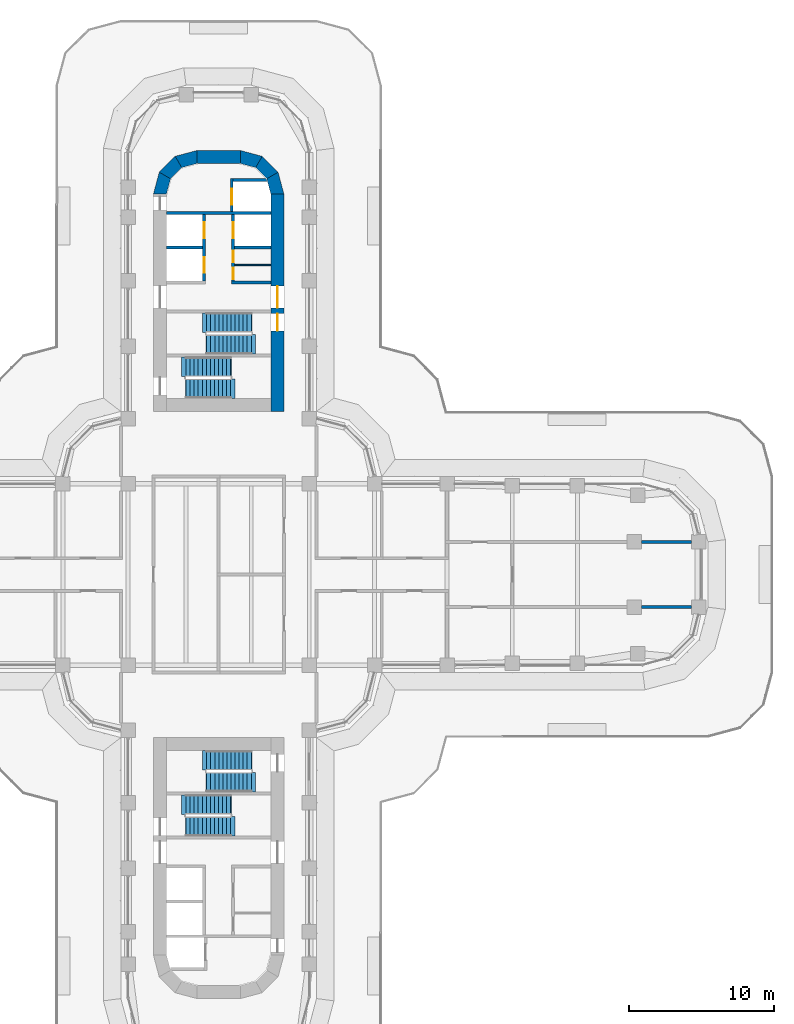
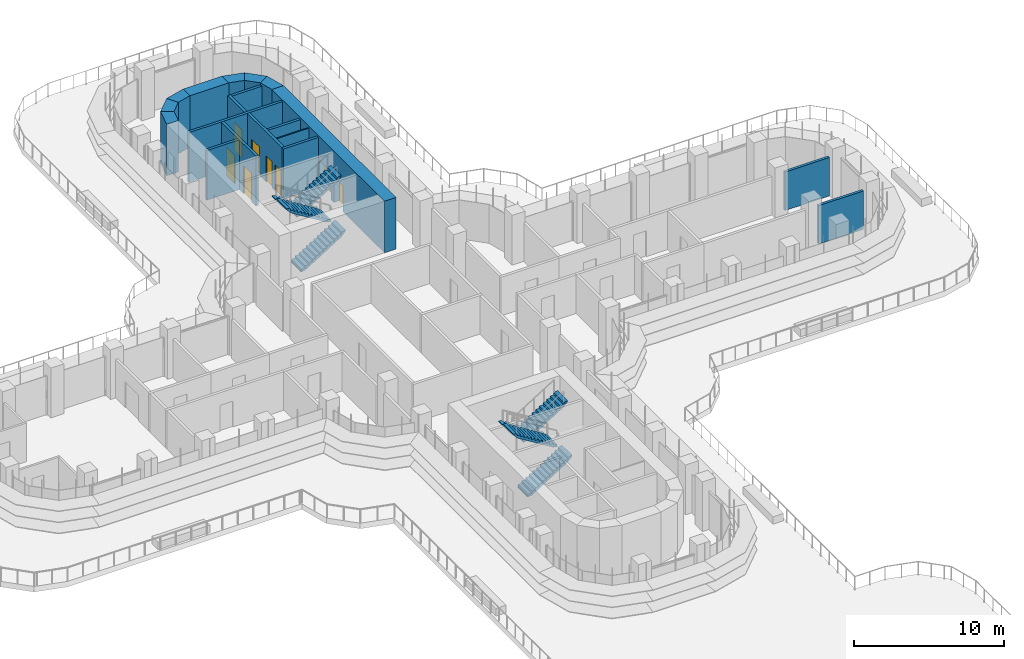
# One storey, part 19 of 26: 19 walls, 8 doors, 8 stair flights, 8 openings, 4 elements without a shape of their own.
"""IFC4 building model written with IfcOpenShell, lengths in metres."""

from ifc_helpers import new_model, si_unit, direction, frame, frame_2d, origin, place, context, subcontext, project, spatial, polyline, rectangle, outline, extrude, material, layer, layer_set, type_object, element, fill, aggregate, save


model = new_model("IFC4")

# Units and contexts
model_context = context("Model", 3, precision=1e-05, world=origin(), true_north=direction((0.0, 1.0)))
body_context = subcontext(model_context, "Body", "Model", "MODEL_VIEW")
ifc_project = project(units=[si_unit("LENGTHUNIT", "METRE"), si_unit("AREAUNIT", "SQUARE_METRE"), si_unit("VOLUMEUNIT", "CUBIC_METRE"), si_unit("PLANEANGLEUNIT", "RADIAN"), si_unit("MASSUNIT", "GRAM", prefix="KILO")], contexts=[model_context])

# Site, building, storey
site_placement = place(None, origin())
site = spatial("IfcSite", under=ifc_project, at=site_placement, CompositionType="ELEMENT")
building_placement = place(site_placement, origin())
building = spatial("IfcBuilding", under=site, at=building_placement, Name="Zarbagh Exchange Tower", CompositionType="ELEMENT")
storey_placement = place(building_placement, frame((0.0, 0.0, 27.0)))
storey = spatial("IfcBuildingStorey", under=building, at=storey_placement, Name="L05", CompositionType="ELEMENT", Elevation=27.0)

# Walls
ifc_material_1 = material(Name="Dense blockwork", Category="masonry")
ifc_layer_1 = layer(ifc_material_1, 0.10009765625)
ifc_layer_set_1 = layer_set([ifc_layer_1], Name="Core partition 100 mm blockwork")
wall_type_1 = type_object("IfcWallType", Name="Core partition 100 mm blockwork", PredefinedType="PARTITIONING", material=ifc_layer_set_1)
wall_1_placement = place(storey_placement, frame((1.10009765625, 21.35009765625, 0.0), z_axis=(0.0, 0.0, 1.0), x_axis=(1.0, 0.0, 0.0)))
element("IfcWall", 1, at=wall_1_placement, inside=storey, type_object=wall_type_1, Name="North core partition wall CUT-E-700", PredefinedType="PARTITIONING", context=body_context, shape_type="SweptSolid", body=[
    extrude(rectangle(XDim=2.5, YDim=0.10009765625, at=frame_2d((1.25, 0.0))), origin(), (0.0, 0.0, 1.0), 4.050048828125),
])
ifc_material_2 = material(Name="Fire-rated plasterboard partition")
ifc_layer_2 = layer(ifc_material_2, 0.199951171875)
ifc_layer_set_2 = layer_set([ifc_layer_2], Name="RATED PARTITION 200")
wall_type_2 = type_object("IfcWallType", Name="RATED PARTITION 200", PredefinedType="PARTITIONING", material=ifc_layer_set_2)
for number, where, z_axis, x_axis, name in (
    (2, (29.169921875, 2.25, 0.0), (0.0, 0.0, 1.0), (1.0, 0.0, 0.0), "Partition W-133"),
    (3, (29.169921875, -2.25, 0.0), (0.0, 0.0, 1.0), (1.0, 0.0, 0.0), "Partition W-135"),
):
    element("IfcWall", number, at=place(storey_placement, frame(where, z_axis=z_axis, x_axis=x_axis)), inside=storey, type_object=wall_type_2, Name=name, PredefinedType="PARTITIONING", context=body_context, shape_type="SweptSolid", body=[
        extrude(rectangle(XDim=3.440185546875, YDim=0.199951171875, at=frame_2d((1.72021484375, 0.0))), origin(), (0.0, 0.0, 1.0), 3.130615234375),
    ])
ifc_material_3 = material(Name="Concrete C60/75", Category="concrete")
ifc_layer_3 = layer(ifc_material_3, 0.89990234375)
ifc_layer_set_3 = layer_set([ifc_layer_3], Name="RC core corner wall 900 C60/75")
wall_type_3 = type_object("IfcWallType", Name="RC core corner wall 900 C60/75", PredefinedType="SHEAR", material=ifc_layer_set_3)
wall_2_placement = place(storey_placement, origin())
element("IfcWall", 4, at=wall_2_placement, inside=storey, type_object=wall_type_3, Name="CW2 core N corner W", PredefinedType="SHEAR", context=body_context, shape_type="SweptSolid", body=[
    extrude(outline(polyline([(-4.5, 26.25), (-4.09814453125, 27.75), (-3.318603515625, 27.300048828125), (-3.60009765625, 26.25), (-4.5, 26.25)])), origin(), (0.0, 0.0, 1.0), 4.199951171875),
])
wall_3_placement = place(storey_placement, origin())
element("IfcWall", 5, at=wall_3_placement, inside=storey, type_object=wall_type_3, Name="CW2 core N corner W", PredefinedType="SHEAR", context=body_context, shape_type="SweptSolid", body=[
    extrude(outline(polyline([(-4.09814453125, 27.75), (-3.0, 28.84814453125), (-2.550048828125, 28.068603515625), (-3.318603515625, 27.300048828125), (-4.09814453125, 27.75)])), origin(), (0.0, 0.0, 1.0), 4.199951171875),
])
wall_4_placement = place(storey_placement, origin())
element("IfcWall", 6, at=wall_4_placement, inside=storey, type_object=wall_type_3, Name="CW2 core N corner W", PredefinedType="SHEAR", context=body_context, shape_type="SweptSolid", body=[
    extrude(outline(polyline([(-3.0, 28.84814453125), (-1.5, 29.25), (-1.5, 28.35009765625), (-2.550048828125, 28.068603515625), (-3.0, 28.84814453125)])), origin(), (0.0, 0.0, 1.0), 4.199951171875),
])
wall_5_placement = place(storey_placement, origin())
element("IfcWall", 7, at=wall_5_placement, inside=storey, type_object=wall_type_3, Name="CW2 core N corner E", PredefinedType="SHEAR", context=body_context, shape_type="SweptSolid", body=[
    extrude(outline(polyline([(4.5, 26.25), (4.09814453125, 27.75), (3.318603515625, 27.300048828125), (3.60009765625, 26.25), (4.5, 26.25)])), origin(), (0.0, 0.0, 1.0), 4.199951171875),
])
wall_6_placement = place(storey_placement, origin())
element("IfcWall", 8, at=wall_6_placement, inside=storey, type_object=wall_type_3, Name="CW2 core N corner E", PredefinedType="SHEAR", context=body_context, shape_type="SweptSolid", body=[
    extrude(outline(polyline([(4.09814453125, 27.75), (3.0, 28.84814453125), (2.550048828125, 28.068603515625), (3.318603515625, 27.300048828125), (4.09814453125, 27.75)])), origin(), (0.0, 0.0, 1.0), 4.199951171875),
])
wall_7_placement = place(storey_placement, origin())
element("IfcWall", 9, at=wall_7_placement, inside=storey, type_object=wall_type_3, Name="CW2 core N corner E", PredefinedType="SHEAR", context=body_context, shape_type="SweptSolid", body=[
    extrude(outline(polyline([(3.0, 28.84814453125), (1.5, 29.25), (1.5, 28.35009765625), (2.550048828125, 28.068603515625), (3.0, 28.84814453125)])), origin(), (0.0, 0.0, 1.0), 4.199951171875),
])

# Wall, openings, doors
ifc_layer_4 = layer(ifc_material_3, 0.89990234375)
ifc_layer_set_4 = layer_set([ifc_layer_4], Name="RC core wall 900 C60/75")
wall_type_4 = type_object("IfcWallType", Name="RC core wall 900 C60/75", PredefinedType="SHEAR", material=ifc_layer_set_4)
wall_8_placement = place(storey_placement, frame((4.050048828125, 11.25, 0.0), z_axis=(0.0, 0.0, 1.0), x_axis=(0.0, 1.0, 0.0)))
wall_8 = element("IfcWall", 10, at=wall_8_placement, inside=storey, type_object=wall_type_4, Name="CW1 core N E", PredefinedType="SHEAR", context=body_context, shape_type="SweptSolid", body=[
    extrude(rectangle(XDim=15.0, YDim=0.89990234375, at=frame_2d((7.5, 0.0))), origin(), (0.0, 0.0, 1.0), 4.199951171875),
])
opening_1_placement = place(wall_8_placement, frame((7.14990234375, 0.0, 0.0)))
opening_1 = element("IfcOpeningElement", 11, at=opening_1_placement, cuts=wall_8, Name="Opening CD1-1500", PredefinedType="OPENING", context=body_context, shape_type="SweptSolid", body=[
    extrude(rectangle(XDim=1.5, YDim=2.300048828125, at=frame_2d((0.75, 1.14990234375))), frame((0.0, 0.4599609375, 0.0), z_axis=(0.0, -1.0, 0.0), x_axis=(1.0, 0.0, 0.0)), (0.0, 0.0, 1.0), 0.919921875),
])
opening_2_placement = place(wall_8_placement, frame((5.550048828125, 0.0, 0.0)))
opening_2 = element("IfcOpeningElement", 12, at=opening_2_placement, cuts=wall_8, Name="Opening SD1-1200", PredefinedType="OPENING", context=body_context, shape_type="SweptSolid", body=[
    extrude(rectangle(XDim=1.199951171875, YDim=2.10009765625, at=frame_2d((0.60009765625, 1.050048828125))), frame((0.0, 0.4599609375, 0.0), z_axis=(0.0, -1.0, 0.0), x_axis=(1.0, 0.0, 0.0)), (0.0, 0.0, 1.0), 0.919921875),
])
ifc_material_4 = material(Name="Steel", Category="steel")
door_type_1 = type_object("IfcDoorType", Name="Exit stair door 1200 x 2100", OperationType="NOTDEFINED", PredefinedType="DOOR", material=ifc_material_4)
door_1_placement = place(opening_2_placement, origin())
door_1 = element("IfcDoor", 13, at=door_1_placement, inside=storey, type_object=door_type_1, Name="North core stair door ST1", OperationType="SINGLE_SWING_LEFT", OverallHeight=2.10009765625, OverallWidth=1.199951171875, PredefinedType="DOOR", context=body_context, shape_type="SweptSolid", body=[
    extrude(rectangle(XDim=1.199951171875, YDim=2.10009765625, at=frame_2d((0.60009765625, 1.050048828125))), frame((0.0, 0.02490234375, 0.0), z_axis=(0.0, -1.0, 0.0), x_axis=(1.0, 0.0, 0.0)), (0.0, 0.0, 1.0), 0.050048828125),
])
fill(opening_2, door_1)
door_type_2 = type_object("IfcDoorType", Name="Lift lobby double door 1500 x 2300", OperationType="NOTDEFINED", PredefinedType="DOOR", material=ifc_material_4)
door_2_placement = place(opening_1_placement, origin())
door_2 = element("IfcDoor", 14, at=door_2_placement, inside=storey, type_object=door_type_2, Name="North core lift lobby door LOBBY-E", OperationType="DOUBLE_DOOR_SINGLE_SWING", OverallHeight=2.300048828125, OverallWidth=1.5, PredefinedType="DOOR", context=body_context, shape_type="SweptSolid", body=[
    extrude(rectangle(XDim=1.5, YDim=2.300048828125, at=frame_2d((0.75, 1.14990234375))), frame((0.0, 0.02490234375, 0.0), z_axis=(0.0, -1.0, 0.0), x_axis=(1.0, 0.0, 0.0)), (0.0, 0.0, 1.0), 0.050048828125),
])
fill(opening_1, door_2)

# Wall
wall_9_placement = place(storey_placement, frame((-1.5, 28.800048828125, 0.0), z_axis=(0.0, 0.0, 1.0), x_axis=(1.0, 0.0, 0.0)))
element("IfcWall", 15, at=wall_9_placement, inside=storey, type_object=wall_type_4, Name="CW1 core N outer end", PredefinedType="SHEAR", context=body_context, shape_type="SweptSolid", body=[
    extrude(rectangle(XDim=3.0, YDim=0.89990234375, at=frame_2d((1.5, 0.0))), origin(), (0.0, 0.0, 1.0), 4.199951171875),
])

# Wall, openings, doors
ifc_layer_5 = layer(ifc_material_1, 0.199951171875)
ifc_layer_set_5 = layer_set([ifc_layer_5], Name="Shaft wall 200 mm blockwork")
wall_type_5 = type_object("IfcWallType", Name="Shaft wall 200 mm blockwork", PredefinedType="PARTITIONING", material=ifc_layer_set_5)
wall_10_placement = place(storey_placement, frame((-1.0, 24.85009765625, 0.0), z_axis=(0.0, 0.0, 1.0), x_axis=(0.0, -1.0, 0.0)))
wall_10 = element("IfcWall", 16, at=wall_10_placement, inside=storey, type_object=wall_type_5, Name="North core shaft wall LW-W", PredefinedType="PARTITIONING", context=body_context, shape_type="SweptSolid", body=[
    extrude(rectangle(XDim=4.60009765625, YDim=0.199951171875, at=frame_2d((2.300048828125, 0.0))), origin(), (0.0, 0.0, 1.0), 4.050048828125),
])
opening_3_placement = place(wall_10_placement, frame((0.550048828125, 0.0, 0.0)))
opening_3 = element("IfcOpeningElement", 17, at=opening_3_placement, cuts=wall_10, Name="Opening LD-1100", PredefinedType="OPENING", context=body_context, shape_type="SweptSolid", body=[
    extrude(rectangle(XDim=1.10009765625, YDim=2.300048828125, at=frame_2d((0.550048828125, 1.14990234375))), frame((0.0, 0.10986328125, 0.0), z_axis=(0.0, -1.0, 0.0), x_axis=(1.0, 0.0, 0.0)), (0.0, 0.0, 1.0), 0.219970703125),
])
opening_4_placement = place(wall_10_placement, frame((2.949951171875, 0.0, 0.0)))
opening_4 = element("IfcOpeningElement", 18, at=opening_4_placement, cuts=wall_10, Name="Opening LD-1100", PredefinedType="OPENING", context=body_context, shape_type="SweptSolid", body=[
    extrude(rectangle(XDim=1.10009765625, YDim=2.300048828125, at=frame_2d((0.550048828125, 1.14990234375))), frame((0.0, 0.10986328125, 0.0), z_axis=(0.0, -1.0, 0.0), x_axis=(1.0, 0.0, 0.0)), (0.0, 0.0, 1.0), 0.219970703125),
])
ifc_material_5 = material(Name="Stainless steel", Category="steel")
door_type_3 = type_object("IfcDoorType", Name="Lift landing door 1100 x 2300", OperationType="NOTDEFINED", PredefinedType="DOOR", material=ifc_material_5)
door_3_placement = place(opening_3_placement, origin())
door_3 = element("IfcDoor", 19, at=door_3_placement, inside=storey, type_object=door_type_3, Name="North core lift landing door LD-P-N1", OperationType="DOUBLE_DOOR_SLIDING", OverallHeight=2.300048828125, OverallWidth=1.10009765625, PredefinedType="DOOR", context=body_context, shape_type="SweptSolid", body=[
    extrude(rectangle(XDim=1.10009765625, YDim=2.300048828125, at=frame_2d((0.550048828125, 1.14990234375))), frame((0.0, 0.02490234375, 0.0), z_axis=(0.0, -1.0, 0.0), x_axis=(1.0, 0.0, 0.0)), (0.0, 0.0, 1.0), 0.050048828125),
])
fill(opening_3, door_3)
door_4_placement = place(opening_4_placement, origin())
door_4 = element("IfcDoor", 20, at=door_4_placement, inside=storey, type_object=door_type_3, Name="North core lift landing door LD-P-N2", OperationType="DOUBLE_DOOR_SLIDING", OverallHeight=2.300048828125, OverallWidth=1.10009765625, PredefinedType="DOOR", context=body_context, shape_type="SweptSolid", body=[
    extrude(rectangle(XDim=1.10009765625, YDim=2.300048828125, at=frame_2d((0.550048828125, 1.14990234375))), frame((0.0, 0.02490234375, 0.0), z_axis=(0.0, -1.0, 0.0), x_axis=(1.0, 0.0, 0.0)), (0.0, 0.0, 1.0), 0.050048828125),
])
fill(opening_4, door_4)

# Wall
wall_11_placement = place(storey_placement, frame((0.89990234375, 20.14990234375, 0.0), z_axis=(0.0, 0.0, 1.0), x_axis=(1.0, 0.0, 0.0)))
element("IfcWall", 21, at=wall_11_placement, inside=storey, type_object=wall_type_5, Name="North core shaft wall AB-E", PredefinedType="PARTITIONING", context=body_context, shape_type="SweptSolid", body=[
    extrude(rectangle(XDim=2.7001953125, YDim=0.199951171875, at=frame_2d((1.35009765625, 0.0))), origin(), (0.0, 0.0, 1.0), 4.050048828125),
])

# Wall, openings, doors
wall_12_placement = place(storey_placement, frame((1.0, 24.85009765625, 0.0), z_axis=(0.0, 0.0, 1.0), x_axis=(0.0, -1.0, 0.0)))
wall_12 = element("IfcWall", 22, at=wall_12_placement, inside=storey, type_object=wall_type_5, Name="North core shaft wall LW-E", PredefinedType="PARTITIONING", context=body_context, shape_type="SweptSolid", body=[
    extrude(rectangle(XDim=4.60009765625, YDim=0.199951171875, at=frame_2d((2.300048828125, 0.0))), origin(), (0.0, 0.0, 1.0), 4.050048828125),
])
opening_5_placement = place(wall_12_placement, frame((0.550048828125, 0.0, 0.0)))
opening_5 = element("IfcOpeningElement", 23, at=opening_5_placement, cuts=wall_12, Name="Opening LD-1100", PredefinedType="OPENING", context=body_context, shape_type="SweptSolid", body=[
    extrude(rectangle(XDim=1.10009765625, YDim=2.300048828125, at=frame_2d((0.550048828125, 1.14990234375))), frame((0.0, 0.10986328125, 0.0), z_axis=(0.0, -1.0, 0.0), x_axis=(1.0, 0.0, 0.0)), (0.0, 0.0, 1.0), 0.219970703125),
])
opening_6_placement = place(wall_12_placement, frame((2.52490234375, 0.0, 0.0)))
opening_6 = element("IfcOpeningElement", 24, at=opening_6_placement, cuts=wall_12, Name="Opening CD3-800", PredefinedType="OPENING", context=body_context, shape_type="SweptSolid", body=[
    extrude(rectangle(XDim=0.800048828125, YDim=2.10009765625, at=frame_2d((0.39990234375, 1.050048828125))), frame((0.0, 0.10986328125, 0.0), z_axis=(0.0, -1.0, 0.0), x_axis=(1.0, 0.0, 0.0)), (0.0, 0.0, 1.0), 0.219970703125),
])
opening_7_placement = place(wall_12_placement, frame((3.675048828125, 0.0, 0.0)))
opening_7 = element("IfcOpeningElement", 25, at=opening_7_placement, cuts=wall_12, Name="Opening CD3-800", PredefinedType="OPENING", context=body_context, shape_type="SweptSolid", body=[
    extrude(rectangle(XDim=0.800048828125, YDim=2.10009765625, at=frame_2d((0.39990234375, 1.050048828125))), frame((0.0, 0.10986328125, 0.0), z_axis=(0.0, -1.0, 0.0), x_axis=(1.0, 0.0, 0.0)), (0.0, 0.0, 1.0), 0.219970703125),
])
door_type_4 = type_object("IfcDoorType", Name="Core room door 800 x 2100", OperationType="NOTDEFINED", PredefinedType="DOOR", material=ifc_material_4)
door_5_placement = place(opening_6_placement, origin())
door_5 = element("IfcDoor", 26, at=door_5_placement, inside=storey, type_object=door_type_4, Name="North core Store door RD-E-0", OperationType="SINGLE_SWING_LEFT", OverallHeight=2.10009765625, OverallWidth=0.800048828125, PredefinedType="DOOR", context=body_context, shape_type="SweptSolid", body=[
    extrude(rectangle(XDim=0.800048828125, YDim=2.10009765625, at=frame_2d((0.39990234375, 1.050048828125))), frame((0.0, 0.02490234375, 0.0), z_axis=(0.0, -1.0, 0.0), x_axis=(1.0, 0.0, 0.0)), (0.0, 0.0, 1.0), 0.050048828125),
])
fill(opening_6, door_5)
door_6_placement = place(opening_7_placement, origin())
door_6 = element("IfcDoor", 27, at=door_6_placement, inside=storey, type_object=door_type_4, Name="North core IT room door RD-E-1", OperationType="SINGLE_SWING_RIGHT", OverallHeight=2.10009765625, OverallWidth=0.800048828125, PredefinedType="DOOR", context=body_context, shape_type="SweptSolid", body=[
    extrude(rectangle(XDim=0.800048828125, YDim=2.10009765625, at=frame_2d((0.39990234375, 1.050048828125))), frame((0.0, 0.02490234375, 0.0), z_axis=(0.0, -1.0, 0.0), x_axis=(1.0, 0.0, 0.0)), (0.0, 0.0, 1.0), 0.050048828125),
])
fill(opening_7, door_6)
door_7_placement = place(opening_5_placement, origin())
door_7 = element("IfcDoor", 28, at=door_7_placement, inside=storey, type_object=door_type_3, Name="North core lift landing door LD-P-N3", OperationType="DOUBLE_DOOR_SLIDING", OverallHeight=2.300048828125, OverallWidth=1.10009765625, PredefinedType="DOOR", context=body_context, shape_type="SweptSolid", body=[
    extrude(rectangle(XDim=1.10009765625, YDim=2.300048828125, at=frame_2d((0.550048828125, 1.14990234375))), frame((0.0, 0.02490234375, 0.0), z_axis=(0.0, -1.0, 0.0), x_axis=(1.0, 0.0, 0.0)), (0.0, 0.0, 1.0), 0.050048828125),
])
fill(opening_5, door_7)

# Walls
for number, where, z_axis, x_axis, name in (
    (29, (-3.60009765625, 22.550048828125, 0.0), (0.0, 0.0, 1.0), (1.0, 0.0, 0.0), "North core shaft wall TR-W"),
    (30, (1.10009765625, 22.550048828125, 0.0), (0.0, 0.0, 1.0), (1.0, 0.0, 0.0), "North core shaft wall TR-E"),
):
    element("IfcWall", number, at=place(storey_placement, frame(where, z_axis=z_axis, x_axis=x_axis)), inside=storey, type_object=wall_type_5, Name=name, PredefinedType="PARTITIONING", context=body_context, shape_type="SweptSolid", body=[
        extrude(rectangle(XDim=2.5, YDim=0.199951171875, at=frame_2d((1.25, 0.0))), origin(), (0.0, 0.0, 1.0), 4.050048828125),
    ])
ifc_material_6 = material(Name="Concrete C40/50", Category="concrete")
ifc_layer_6 = layer(ifc_material_6, 0.199951171875)
ifc_layer_set_6 = layer_set([ifc_layer_6], Name="Stair enclosure wall 200 mm RC C40/50")
wall_type_6 = type_object("IfcWallType", Name="Stair enclosure wall 200 mm RC C40/50", PredefinedType="SHEAR", material=ifc_layer_set_6)
wall_13_placement = place(storey_placement, frame((-3.60009765625, 24.949951171875, 0.0), z_axis=(0.0, 0.0, 1.0), x_axis=(1.0, 0.0, 0.0)))
element("IfcWall", 31, at=wall_13_placement, inside=storey, type_object=wall_type_6, Name="North core lift shaft wall FFA", PredefinedType="SHEAR", context=body_context, shape_type="SweptSolid", body=[
    extrude(rectangle(XDim=7.2001953125, YDim=0.199951171875, at=frame_2d((3.60009765625, 0.0))), origin(), (0.0, 0.0, 1.0), 4.050048828125),
])

# Wall, opening, door
wall_14_placement = place(storey_placement, frame((0.89990234375, 27.300048828125, 0.0), z_axis=(0.0, 0.0, 1.0), x_axis=(0.0, -1.0, 0.0)))
wall_14 = element("IfcWall", 32, at=wall_14_placement, inside=storey, type_object=wall_type_6, Name="North core lift shaft wall FFL", PredefinedType="SHEAR", context=body_context, shape_type="SweptSolid", body=[
    extrude(rectangle(XDim=2.25, YDim=0.199951171875, at=frame_2d((1.125, 0.0))), origin(), (0.0, 0.0, 1.0), 4.050048828125),
])
opening_8_placement = place(wall_14_placement, frame((0.699951171875, 0.0, 0.0)))
opening_8 = element("IfcOpeningElement", 33, at=opening_8_placement, cuts=wall_14, Name="Opening LD-1100", PredefinedType="OPENING", context=body_context, shape_type="SweptSolid", body=[
    extrude(rectangle(XDim=1.10009765625, YDim=2.300048828125, at=frame_2d((0.550048828125, 1.14990234375))), frame((0.0, 0.10986328125, 0.0), z_axis=(0.0, -1.0, 0.0), x_axis=(1.0, 0.0, 0.0)), (0.0, 0.0, 1.0), 0.219970703125),
])
door_8_placement = place(opening_8_placement, origin())
door_8 = element("IfcDoor", 34, at=door_8_placement, inside=storey, type_object=door_type_3, Name="North core lift landing door LD-F", OperationType="DOUBLE_DOOR_SLIDING", OverallHeight=2.300048828125, OverallWidth=1.10009765625, PredefinedType="DOOR", context=body_context, shape_type="SweptSolid", body=[
    extrude(rectangle(XDim=1.10009765625, YDim=2.300048828125, at=frame_2d((0.550048828125, 1.14990234375))), frame((0.0, 0.02490234375, 0.0), z_axis=(0.0, -1.0, 0.0), x_axis=(1.0, 0.0, 0.0)), (0.0, 0.0, 1.0), 0.050048828125),
])
fill(opening_8, door_8)

# Wall
wall_15_placement = place(storey_placement, origin())
element("IfcWall", 35, at=wall_15_placement, inside=storey, type_object=wall_type_6, Name="North core lift shaft wall FFX", PredefinedType="SHEAR", context=body_context, shape_type="SweptSolid", body=[
    extrude(outline(polyline([(1.0, 27.10009765625), (3.340576171875, 27.10009765625), (3.291259765625, 27.2841796875), (3.275390625, 27.300048828125), (1.0, 27.300048828125), (1.0, 27.10009765625)])), origin(), (0.0, 0.0, 1.0), 4.050048828125),
])

# Stair, stair flights
stair_type = type_object("IfcStairType", Name="Exit stair two-flight half-turn", PredefinedType="HALF_TURN_STAIR", material=ifc_material_6)
stair_1_placement = place(storey_placement, origin())
stair_1 = element("IfcStair", 36, at=stair_1_placement, inside=storey, type_object=stair_type, Name="exit stair ST1", PredefinedType="HALF_TURN_STAIR")
stair_flight_type = type_object("IfcStairFlightType", Name="Stair flight 1350 mm", PredefinedType="STRAIGHT", material=ifc_material_6)
stair_flight_1_placement = place(storey_placement, frame((2.25, 17.375, 0.0), z_axis=(0.0, 0.0, 1.0), x_axis=(-1.0, 0.0, 0.0)))
stair_flight_1 = element("IfcStairFlight", 37, at=stair_flight_1_placement, type_object=stair_flight_type, Name="ST1 flight 1", NumberOfRisers=12, NumberOfTreads=11, PredefinedType="STRAIGHT", RiserHeight=0.175, TreadLength=0.28, context=body_context, shape_type="SweptSolid", body=[
    extrude(outline(polyline([(-0.050048828125, -0.050048828125), (-0.050048828125, 0.0), (0.0, 0.0), (0.0, 0.175048828125), (0.280029296875, 0.175048828125), (0.280029296875, 0.35009765625), (0.56005859375, 0.35009765625), (0.56005859375, 0.52490234375), (0.840087890625, 0.52490234375), (0.840087890625, 0.699951171875), (1.1201171875, 0.699951171875), (1.1201171875, 0.875), (1.39990234375, 0.875), (1.39990234375, 1.050048828125), (1.679931640625, 1.050048828125), (1.679931640625, 1.22509765625), (1.9599609375, 1.22509765625), (1.9599609375, 1.39990234375), (2.239990234375, 1.39990234375), (2.239990234375, 1.574951171875), (2.52001953125, 1.574951171875), (2.52001953125, 1.75), (2.800048828125, 1.75), (2.800048828125, 1.925048828125), (3.080078125, 1.925048828125), (3.080078125, 2.10009765625), (3.3798828125, 2.179931640625), (3.3798828125, 2.10009765625), (3.080078125, 1.748291015625), (0.28271484375, 0.0), (-0.050048828125, -0.050048828125)])), frame((0.0, 0.675048828125, 0.0), z_axis=(0.0, -1.0, 0.0), x_axis=(1.0, 0.0, 0.0)), (0.0, 0.0, 1.0), 1.35009765625),
])
stair_flight_2_placement = place(storey_placement, frame((-0.830078125, 15.875, 2.10009765625), z_axis=(0.0, 0.0, 1.0), x_axis=(1.0, 0.0, 0.0)))
stair_flight_2 = element("IfcStairFlight", 38, at=stair_flight_2_placement, type_object=stair_flight_type, Name="ST1 flight 2", NumberOfRisers=12, NumberOfTreads=11, PredefinedType="STRAIGHT", RiserHeight=0.175, TreadLength=0.28, context=body_context, shape_type="SweptSolid", body=[
    extrude(outline(polyline([(-0.050048828125, -0.050048828125), (-0.050048828125, 0.0), (0.0, 0.0), (0.0, 0.175048828125), (0.280029296875, 0.175048828125), (0.280029296875, 0.35009765625), (0.56005859375, 0.35009765625), (0.56005859375, 0.52490234375), (0.840087890625, 0.52490234375), (0.840087890625, 0.699951171875), (1.1201171875, 0.699951171875), (1.1201171875, 0.875), (1.39990234375, 0.875), (1.39990234375, 1.050048828125), (1.679931640625, 1.050048828125), (1.679931640625, 1.22509765625), (1.9599609375, 1.22509765625), (1.9599609375, 1.39990234375), (2.239990234375, 1.39990234375), (2.239990234375, 1.574951171875), (2.52001953125, 1.574951171875), (2.52001953125, 1.75), (2.800048828125, 1.75), (2.800048828125, 1.925048828125), (3.080078125, 1.925048828125), (3.080078125, 2.10009765625), (3.3798828125, 2.179931640625), (3.3798828125, 2.10009765625), (3.080078125, 1.748291015625), (0.28271484375, 0.0), (-0.050048828125, -0.050048828125)])), frame((0.0, 0.675048828125, 0.0), z_axis=(0.0, -1.0, 0.0), x_axis=(1.0, 0.0, 0.0)), (0.0, 0.0, 1.0), 1.35009765625),
])
aggregate(stair_1, [stair_flight_1, stair_flight_2])

stair_2_placement = place(storey_placement, origin())
stair_2 = element("IfcStair", 39, at=stair_2_placement, inside=storey, type_object=stair_type, Name="exit stair ST2", PredefinedType="HALF_TURN_STAIR")
stair_flight_3_placement = place(storey_placement, frame((-2.25, 12.824951171875, 0.0), z_axis=(0.0, 0.0, 1.0), x_axis=(1.0, 0.0, 0.0)))
stair_flight_3 = element("IfcStairFlight", 40, at=stair_flight_3_placement, type_object=stair_flight_type, Name="ST2 flight 1", NumberOfRisers=12, NumberOfTreads=11, PredefinedType="STRAIGHT", RiserHeight=0.175, TreadLength=0.28, context=body_context, shape_type="SweptSolid", body=[
    extrude(outline(polyline([(-0.050048828125, -0.050048828125), (-0.050048828125, 0.0), (0.0, 0.0), (0.0, 0.175048828125), (0.280029296875, 0.175048828125), (0.280029296875, 0.35009765625), (0.56005859375, 0.35009765625), (0.56005859375, 0.52490234375), (0.840087890625, 0.52490234375), (0.840087890625, 0.699951171875), (1.1201171875, 0.699951171875), (1.1201171875, 0.875), (1.39990234375, 0.875), (1.39990234375, 1.050048828125), (1.679931640625, 1.050048828125), (1.679931640625, 1.22509765625), (1.9599609375, 1.22509765625), (1.9599609375, 1.39990234375), (2.239990234375, 1.39990234375), (2.239990234375, 1.574951171875), (2.52001953125, 1.574951171875), (2.52001953125, 1.75), (2.800048828125, 1.75), (2.800048828125, 1.925048828125), (3.080078125, 1.925048828125), (3.080078125, 2.10009765625), (3.3798828125, 2.179931640625), (3.3798828125, 2.10009765625), (3.080078125, 1.748291015625), (0.28271484375, 0.0), (-0.050048828125, -0.050048828125)])), frame((0.0, 0.675048828125, 0.0), z_axis=(0.0, -1.0, 0.0), x_axis=(1.0, 0.0, 0.0)), (0.0, 0.0, 1.0), 1.35009765625),
])
stair_flight_4_placement = place(storey_placement, frame((0.830078125, 14.324951171875, 2.10009765625), z_axis=(0.0, 0.0, 1.0), x_axis=(-1.0, 0.0, 0.0)))
stair_flight_4 = element("IfcStairFlight", 41, at=stair_flight_4_placement, type_object=stair_flight_type, Name="ST2 flight 2", NumberOfRisers=12, NumberOfTreads=11, PredefinedType="STRAIGHT", RiserHeight=0.175, TreadLength=0.28, context=body_context, shape_type="SweptSolid", body=[
    extrude(outline(polyline([(-0.050048828125, -0.050048828125), (-0.050048828125, 0.0), (0.0, 0.0), (0.0, 0.175048828125), (0.280029296875, 0.175048828125), (0.280029296875, 0.35009765625), (0.56005859375, 0.35009765625), (0.56005859375, 0.52490234375), (0.840087890625, 0.52490234375), (0.840087890625, 0.699951171875), (1.1201171875, 0.699951171875), (1.1201171875, 0.875), (1.39990234375, 0.875), (1.39990234375, 1.050048828125), (1.679931640625, 1.050048828125), (1.679931640625, 1.22509765625), (1.9599609375, 1.22509765625), (1.9599609375, 1.39990234375), (2.239990234375, 1.39990234375), (2.239990234375, 1.574951171875), (2.52001953125, 1.574951171875), (2.52001953125, 1.75), (2.800048828125, 1.75), (2.800048828125, 1.925048828125), (3.080078125, 1.925048828125), (3.080078125, 2.10009765625), (3.3798828125, 2.179931640625), (3.3798828125, 2.10009765625), (3.080078125, 1.748291015625), (0.28271484375, 0.0), (-0.050048828125, -0.050048828125)])), frame((0.0, 0.675048828125, 0.0), z_axis=(0.0, -1.0, 0.0), x_axis=(1.0, 0.0, 0.0)), (0.0, 0.0, 1.0), 1.35009765625),
])
aggregate(stair_2, [stair_flight_3, stair_flight_4])

stair_3_placement = place(storey_placement, origin())
stair_3 = element("IfcStair", 42, at=stair_3_placement, inside=storey, type_object=stair_type, Name="exit stair ST3", PredefinedType="HALF_TURN_STAIR")
stair_flight_5_placement = place(storey_placement, frame((-2.25, -17.375, 0.0), z_axis=(0.0, 0.0, 1.0), x_axis=(1.0, 0.0, 0.0)))
stair_flight_5 = element("IfcStairFlight", 43, at=stair_flight_5_placement, type_object=stair_flight_type, Name="ST3 flight 1", NumberOfRisers=12, NumberOfTreads=11, PredefinedType="STRAIGHT", RiserHeight=0.175, TreadLength=0.28, context=body_context, shape_type="SweptSolid", body=[
    extrude(outline(polyline([(-0.050048828125, -0.050048828125), (-0.050048828125, 0.0), (0.0, 0.0), (0.0, 0.175048828125), (0.280029296875, 0.175048828125), (0.280029296875, 0.35009765625), (0.56005859375, 0.35009765625), (0.56005859375, 0.52490234375), (0.840087890625, 0.52490234375), (0.840087890625, 0.699951171875), (1.1201171875, 0.699951171875), (1.1201171875, 0.875), (1.39990234375, 0.875), (1.39990234375, 1.050048828125), (1.679931640625, 1.050048828125), (1.679931640625, 1.22509765625), (1.9599609375, 1.22509765625), (1.9599609375, 1.39990234375), (2.239990234375, 1.39990234375), (2.239990234375, 1.574951171875), (2.52001953125, 1.574951171875), (2.52001953125, 1.75), (2.800048828125, 1.75), (2.800048828125, 1.925048828125), (3.080078125, 1.925048828125), (3.080078125, 2.10009765625), (3.3798828125, 2.179931640625), (3.3798828125, 2.10009765625), (3.080078125, 1.748291015625), (0.28271484375, 0.0), (-0.050048828125, -0.050048828125)])), frame((0.0, 0.675048828125, 0.0), z_axis=(0.0, -1.0, 0.0), x_axis=(1.0, 0.0, 0.0)), (0.0, 0.0, 1.0), 1.35009765625),
])
stair_flight_6_placement = place(storey_placement, frame((0.830078125, -15.875, 2.10009765625), z_axis=(0.0, 0.0, 1.0), x_axis=(-1.0, 0.0, 0.0)))
stair_flight_6 = element("IfcStairFlight", 44, at=stair_flight_6_placement, type_object=stair_flight_type, Name="ST3 flight 2", NumberOfRisers=12, NumberOfTreads=11, PredefinedType="STRAIGHT", RiserHeight=0.175, TreadLength=0.28, context=body_context, shape_type="SweptSolid", body=[
    extrude(outline(polyline([(-0.050048828125, -0.050048828125), (-0.050048828125, 0.0), (0.0, 0.0), (0.0, 0.175048828125), (0.280029296875, 0.175048828125), (0.280029296875, 0.35009765625), (0.56005859375, 0.35009765625), (0.56005859375, 0.52490234375), (0.840087890625, 0.52490234375), (0.840087890625, 0.699951171875), (1.1201171875, 0.699951171875), (1.1201171875, 0.875), (1.39990234375, 0.875), (1.39990234375, 1.050048828125), (1.679931640625, 1.050048828125), (1.679931640625, 1.22509765625), (1.9599609375, 1.22509765625), (1.9599609375, 1.39990234375), (2.239990234375, 1.39990234375), (2.239990234375, 1.574951171875), (2.52001953125, 1.574951171875), (2.52001953125, 1.75), (2.800048828125, 1.75), (2.800048828125, 1.925048828125), (3.080078125, 1.925048828125), (3.080078125, 2.10009765625), (3.3798828125, 2.179931640625), (3.3798828125, 2.10009765625), (3.080078125, 1.748291015625), (0.28271484375, 0.0), (-0.050048828125, -0.050048828125)])), frame((0.0, 0.675048828125, 0.0), z_axis=(0.0, -1.0, 0.0), x_axis=(1.0, 0.0, 0.0)), (0.0, 0.0, 1.0), 1.35009765625),
])
aggregate(stair_3, [stair_flight_5, stair_flight_6])

stair_4_placement = place(storey_placement, origin())
stair_4 = element("IfcStair", 45, at=stair_4_placement, inside=storey, type_object=stair_type, Name="exit stair ST4", PredefinedType="HALF_TURN_STAIR")
stair_flight_7_placement = place(storey_placement, frame((2.25, -12.824951171875, 0.0), z_axis=(0.0, 0.0, 1.0), x_axis=(-1.0, 0.0, 0.0)))
stair_flight_7 = element("IfcStairFlight", 46, at=stair_flight_7_placement, type_object=stair_flight_type, Name="ST4 flight 1", NumberOfRisers=12, NumberOfTreads=11, PredefinedType="STRAIGHT", RiserHeight=0.175, TreadLength=0.28, context=body_context, shape_type="SweptSolid", body=[
    extrude(outline(polyline([(-0.050048828125, -0.050048828125), (-0.050048828125, 0.0), (0.0, 0.0), (0.0, 0.175048828125), (0.280029296875, 0.175048828125), (0.280029296875, 0.35009765625), (0.56005859375, 0.35009765625), (0.56005859375, 0.52490234375), (0.840087890625, 0.52490234375), (0.840087890625, 0.699951171875), (1.1201171875, 0.699951171875), (1.1201171875, 0.875), (1.39990234375, 0.875), (1.39990234375, 1.050048828125), (1.679931640625, 1.050048828125), (1.679931640625, 1.22509765625), (1.9599609375, 1.22509765625), (1.9599609375, 1.39990234375), (2.239990234375, 1.39990234375), (2.239990234375, 1.574951171875), (2.52001953125, 1.574951171875), (2.52001953125, 1.75), (2.800048828125, 1.75), (2.800048828125, 1.925048828125), (3.080078125, 1.925048828125), (3.080078125, 2.10009765625), (3.3798828125, 2.179931640625), (3.3798828125, 2.10009765625), (3.080078125, 1.748291015625), (0.28271484375, 0.0), (-0.050048828125, -0.050048828125)])), frame((0.0, 0.675048828125, 0.0), z_axis=(0.0, -1.0, 0.0), x_axis=(1.0, 0.0, 0.0)), (0.0, 0.0, 1.0), 1.35009765625),
])
stair_flight_8_placement = place(storey_placement, frame((-0.830078125, -14.324951171875, 2.10009765625), z_axis=(0.0, 0.0, 1.0), x_axis=(1.0, 0.0, 0.0)))
stair_flight_8 = element("IfcStairFlight", 47, at=stair_flight_8_placement, type_object=stair_flight_type, Name="ST4 flight 2", NumberOfRisers=12, NumberOfTreads=11, PredefinedType="STRAIGHT", RiserHeight=0.175, TreadLength=0.28, context=body_context, shape_type="SweptSolid", body=[
    extrude(outline(polyline([(-0.050048828125, -0.050048828125), (-0.050048828125, 0.0), (0.0, 0.0), (0.0, 0.175048828125), (0.280029296875, 0.175048828125), (0.280029296875, 0.35009765625), (0.56005859375, 0.35009765625), (0.56005859375, 0.52490234375), (0.840087890625, 0.52490234375), (0.840087890625, 0.699951171875), (1.1201171875, 0.699951171875), (1.1201171875, 0.875), (1.39990234375, 0.875), (1.39990234375, 1.050048828125), (1.679931640625, 1.050048828125), (1.679931640625, 1.22509765625), (1.9599609375, 1.22509765625), (1.9599609375, 1.39990234375), (2.239990234375, 1.39990234375), (2.239990234375, 1.574951171875), (2.52001953125, 1.574951171875), (2.52001953125, 1.75), (2.800048828125, 1.75), (2.800048828125, 1.925048828125), (3.080078125, 1.925048828125), (3.080078125, 2.10009765625), (3.3798828125, 2.179931640625), (3.3798828125, 2.10009765625), (3.080078125, 1.748291015625), (0.28271484375, 0.0), (-0.050048828125, -0.050048828125)])), frame((0.0, 0.675048828125, 0.0), z_axis=(0.0, -1.0, 0.0), x_axis=(1.0, 0.0, 0.0)), (0.0, 0.0, 1.0), 1.35009765625),
])
aggregate(stair_4, [stair_flight_7, stair_flight_8])

save(model, "model.ifc")
